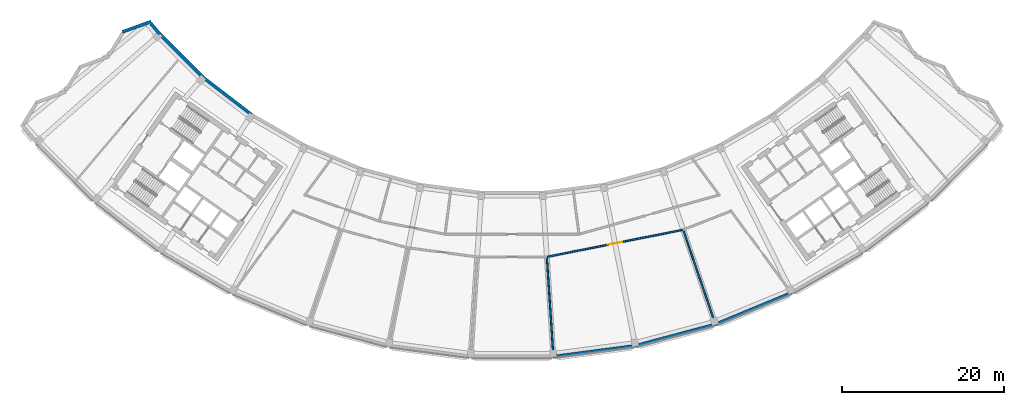
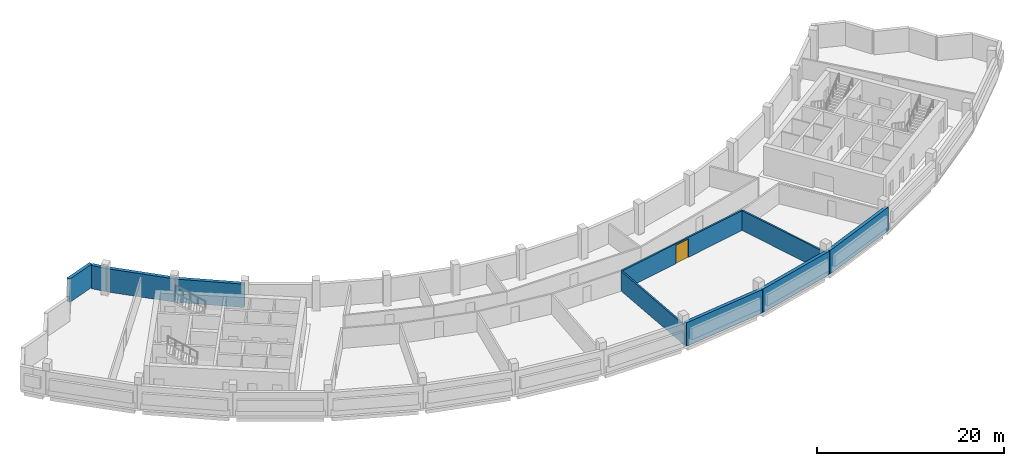
# One storey, part 5 of 12: 10 walls, 1 door, 1 opening.
"""IFC4 building model written with IfcOpenShell, lengths in metres."""

from ifc_helpers import new_model, si_unit, direction, frame, frame_2d, origin, place, context, subcontext, project, spatial, rectangle, extrude, material, layer, layer_set, type_object, element, fill, save


model = new_model("IFC4")

# Units and contexts
model_context = context("Model", 3, precision=1e-05, world=origin(), true_north=direction((0.0, 1.0)))
body_context = subcontext(model_context, "Body", "Model", "MODEL_VIEW")
ifc_project = project(units=[si_unit("LENGTHUNIT", "METRE"), si_unit("AREAUNIT", "SQUARE_METRE"), si_unit("VOLUMEUNIT", "CUBIC_METRE"), si_unit("PLANEANGLEUNIT", "RADIAN"), si_unit("MASSUNIT", "GRAM", prefix="KILO")], contexts=[model_context])

# Site, building, storey
site_placement = place(None, origin())
site = spatial("IfcSite", under=ifc_project, at=site_placement, CompositionType="ELEMENT")
building_placement = place(site_placement, origin())
building = spatial("IfcBuilding", under=site, at=building_placement, Name="Qamariyya Broadcast Tower", CompositionType="ELEMENT")
storey_placement = place(building_placement, frame((0.0, 0.0, 290.699951171875)))
storey = spatial("IfcBuildingStorey", under=building, at=storey_placement, Name="L70", CompositionType="ELEMENT", Elevation=290.699951171875)

# Wall, opening, door
ifc_material_1 = material(Name="Masonry block wall", Category="masonry")
ifc_layer_1 = layer(ifc_material_1, 0.199951171875)
ifc_layer_set_1 = layer_set([ifc_layer_1], Name="Plant room wall 200 EI 120")
wall_type_1 = type_object("IfcWallType", Name="Plant room wall 200 EI 120", PredefinedType="PARTITIONING", material=ifc_layer_set_1)
wall_1_placement = place(storey_placement, frame((21.150634765625, -62.30810546875, 0.0), z_axis=(0.0, 0.0, 1.0), x_axis=(-0.980785679695, -0.195088314632, 0.0)))
wall_1 = element("IfcWall", 1, at=wall_1_placement, inside=storey, type_object=wall_type_1, Name="Partition L70-016", PredefinedType="PARTITIONING", context=body_context, shape_type="SweptSolid", body=[
    extrude(rectangle(XDim=17.17724609375, YDim=0.199951171875, at=frame_2d((8.588623046875, 0.0))), origin(), (0.0, 0.0, 1.0), 2.60009765625),
])
opening_placement = place(wall_1_placement, frame((7.688720703125, 0.0, 0.0)))
opening = element("IfcOpeningElement", 2, at=opening_placement, cuts=wall_1, Name="Opening L70-D05", PredefinedType="OPENING", context=body_context, shape_type="SweptSolid", body=[
    extrude(rectangle(XDim=1.800048828125, YDim=2.39990234375, at=frame_2d((0.89990234375, 1.199951171875))), frame((0.0, 0.10986328125, 0.0), z_axis=(0.0, -1.0, 0.0), x_axis=(1.0, 0.0, 0.0)), (0.0, 0.0, 1.0), 0.219970703125),
])
ifc_material_2 = material(Name="Insulated metal door leaf")
door_type = type_object("IfcDoorType", Name="Plant double door 1800 x 2400 FD120", OperationType="NOTDEFINED", PredefinedType="DOOR", material=ifc_material_2)
door_placement = place(opening_placement, origin())
door = element("IfcDoor", 3, at=door_placement, inside=storey, type_object=door_type, Name="Door L70-D05", OperationType="DOUBLE_DOOR_SINGLE_SWING", OverallHeight=2.39990234375, OverallWidth=1.800048828125, PredefinedType="DOOR", context=body_context, shape_type="SweptSolid", body=[
    extrude(rectangle(XDim=1.800048828125, YDim=2.39990234375, at=frame_2d((0.89990234375, 1.199951171875))), frame((0.0, 0.02490234375, 0.0), z_axis=(0.0, -1.0, 0.0), x_axis=(1.0, 0.0, 0.0)), (0.0, 0.0, 1.0), 0.050048828125),
])
fill(opening, door)

# Walls
wall_2_placement = place(storey_placement, frame((5.111328125, -77.982666015625, 0.0), z_axis=(0.0, 0.0, 1.0), x_axis=(-0.065409169082, 0.997858527347, 0.0)))
element("IfcWall", 4, at=wall_2_placement, inside=storey, type_object=wall_type_1, Name="Partition L70-017", PredefinedType="PARTITIONING", context=body_context, shape_type="SweptSolid", body=[
    extrude(rectangle(XDim=12.25, YDim=0.199951171875, at=frame_2d((6.125, 0.0))), origin(), (0.0, 0.0, 1.0), 2.60009765625),
])
wall_3_placement = place(storey_placement, frame((25.12060546875, -74.002685546875, 0.0), z_axis=(0.0, 0.0, 1.0), x_axis=(-0.321442509406, 0.946929096156, 0.0)))
element("IfcWall", 5, at=wall_3_placement, inside=storey, type_object=wall_type_1, Name="Partition L70-022", PredefinedType="PARTITIONING", context=body_context, shape_type="SweptSolid", body=[
    extrude(rectangle(XDim=12.250244140625, YDim=0.199951171875, at=frame_2d((6.125, 0.0))), origin(), (0.0, 0.0, 1.0), 2.60009765625),
])
ifc_material_3 = material(Name="Terracotta", Category="masonry")
ifc_layer_2 = layer(ifc_material_3, 0.39990234375)
ifc_layer_set_2 = layer_set([ifc_layer_2], Name="Solid terracotta louvred band wall 400")
wall_type_2 = type_object("IfcWallType", Name="Solid terracotta louvred band wall 400", PredefinedType="SOLIDWALL", material=ifc_layer_set_2)
wall_4_placement = place(storey_placement, frame((-44.58642578125, -36.581787109375, 0.0), z_axis=(0.0, 0.0, 1.0), x_axis=(-0.940130056589, -0.340815898541, 0.0)))
element("IfcWall", 6, at=wall_4_placement, inside=storey, type_object=wall_type_2, Name="e-wl-L70-capW0", PredefinedType="SOLIDWALL", context=body_context, shape_type="SweptSolid", body=[
    extrude(rectangle(XDim=3.742919921875, YDim=0.39990234375, at=frame_2d((1.87158203125, 0.0))), origin(), (0.0, 0.0, 1.0), 3.050048828125),
])
wall_5_placement = place(storey_placement, frame((-43.51123046875, -38.122802734375, 0.0), z_axis=(0.0, 0.0, 1.0), x_axis=(-0.645545650865, 0.763721685334, 0.0)))
element("IfcWall", 7, at=wall_5_placement, inside=storey, type_object=wall_type_2, Name="e-wl-L70-in00", PredefinedType="SOLIDWALL", context=body_context, shape_type="SweptSolid", body=[
    extrude(rectangle(XDim=1.68359375, YDim=0.39990234375, at=frame_2d((0.841796875, 0.0))), origin(), (0.0, 0.0, 1.0), 3.050048828125),
])
wall_6_placement = place(storey_placement, frame((-38.125732421875, -43.511962890625, 0.0), z_axis=(0.0, 0.0, 1.0), x_axis=(-0.707106781187, 0.707106781187, 0.0)))
element("IfcWall", 8, at=wall_6_placement, inside=storey, type_object=wall_type_2, Name="e-wl-L70-in10", PredefinedType="SOLIDWALL", context=body_context, shape_type="SweptSolid", body=[
    extrude(rectangle(XDim=7.6025390625, YDim=0.39990234375, at=frame_2d((3.80126953125, 0.0))), origin(), (0.0, 0.0, 1.0), 3.050048828125),
])
wall_7_placement = place(storey_placement, frame((-32.18017578125, -48.070068359375, 0.0), z_axis=(0.0, 0.0, 1.0), x_axis=(-0.793355236357, 0.608758957999, 0.0)))
element("IfcWall", 9, at=wall_7_placement, inside=storey, type_object=wall_type_2, Name="e-wl-L70-in20", PredefinedType="SOLIDWALL", context=body_context, shape_type="SweptSolid", body=[
    extrude(rectangle(XDim=7.4658203125, YDim=0.39990234375, at=frame_2d((3.73291015625, 0.0))), origin(), (0.0, 0.0, 1.0), 3.050048828125),
])
for number, where, z_axis, x_axis, name in (
    (10, (25.09716796875, -74.01171875, 0.0), (0.0, 0.0, 1.0), (0.923877211741, 0.382689035152, 0.0), "e-wl-L70-out100"),
    (11, (5.08642578125, -77.985595703125, 0.0), (0.0, 0.0, 1.0), (0.991444909321, 0.130525828027, 0.0), "e-wl-L70-out80"),
):
    element("IfcWall", number, at=place(storey_placement, frame(where, z_axis=z_axis, x_axis=x_axis)), inside=storey, type_object=wall_type_2, Name=name, PredefinedType="SOLIDWALL", context=body_context, shape_type="SweptSolid", body=[
        extrude(rectangle(XDim=10.2724609375, YDim=0.39990234375, at=frame_2d((5.13623046875, 0.0))), origin(), (0.0, 0.0, 1.0), 3.050048828125),
    ])
wall_8_placement = place(storey_placement, frame((15.295166015625, -76.634765625, 0.0), z_axis=(0.0, 0.0, 1.0), x_axis=(0.965928778267, 0.258808027921, 0.0)))
element("IfcWall", 12, at=wall_8_placement, inside=storey, type_object=wall_type_2, Name="e-wl-L70-out90", PredefinedType="SOLIDWALL", context=body_context, shape_type="SweptSolid", body=[
    extrude(rectangle(XDim=10.120849609375, YDim=0.39990234375, at=frame_2d((5.060546875, 0.0))), origin(), (0.0, 0.0, 1.0), 3.050048828125),
])

save(model, "model.ifc")
